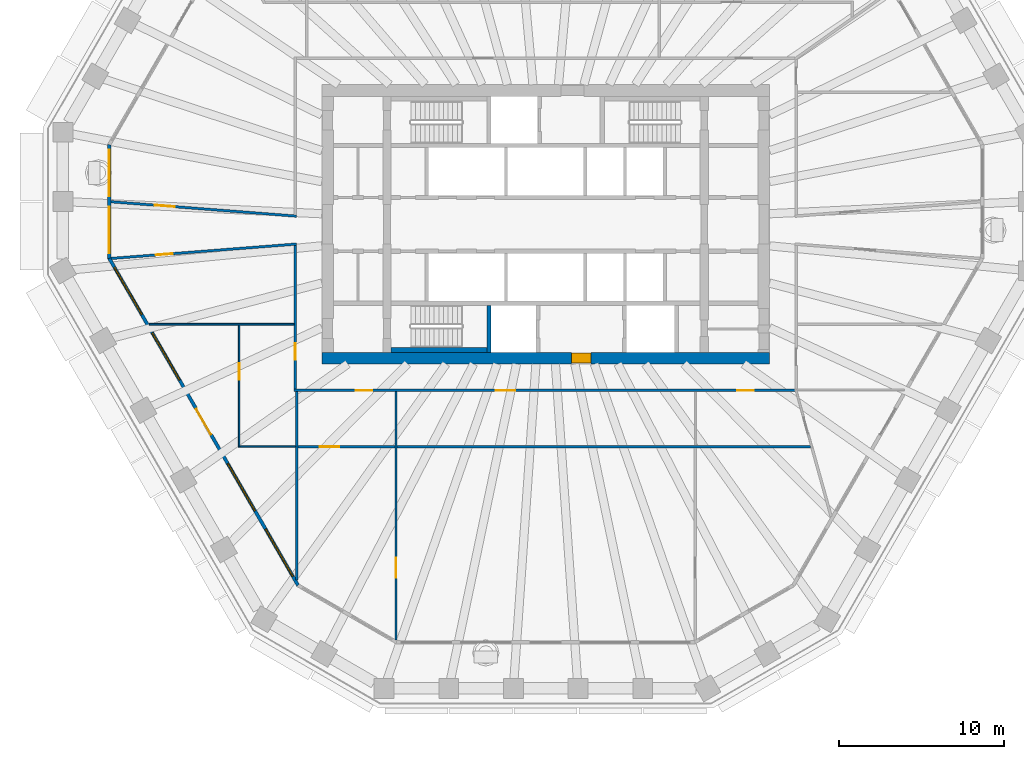
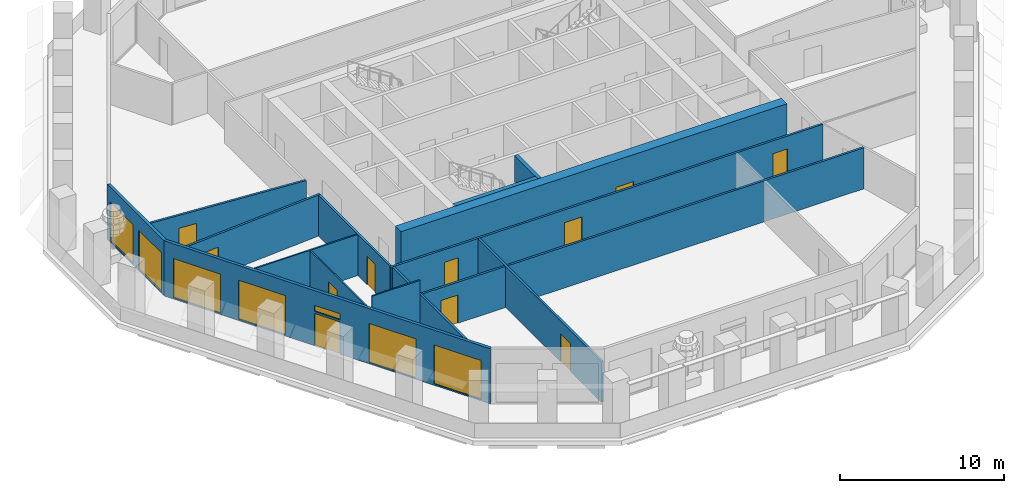
# One storey, part 3 of 12: 15 walls, 11 doors, 7 windows, 18 openings.
"""IFC4 building model written with IfcOpenShell, lengths in metres."""

from ifc_helpers import new_model, si_unit, direction, frame, frame_2d, origin, place, context, subcontext, project, spatial, polyline, rectangle, outline, extrude, material, layer, layer_set, type_object, element, fill, save


model = new_model("IFC4")

# Units and contexts
model_context = context("Model", 3, precision=1e-05, world=origin(), true_north=direction((0.0, 1.0)))
body_context = subcontext(model_context, "Body", "Model", "MODEL_VIEW")
ifc_project = project(units=[si_unit("LENGTHUNIT", "METRE"), si_unit("AREAUNIT", "SQUARE_METRE"), si_unit("VOLUMEUNIT", "CUBIC_METRE"), si_unit("PLANEANGLEUNIT", "RADIAN"), si_unit("MASSUNIT", "GRAM", prefix="KILO")], contexts=[model_context])

# Site, building, storey
site_placement = place(None, origin())
site = spatial("IfcSite", under=ifc_project, at=site_placement, CompositionType="ELEMENT")
building_placement = place(site_placement, origin())
building = spatial("IfcBuilding", under=site, at=building_placement, Name="Frailejon Research Tower", CompositionType="ELEMENT")
storey_placement = place(building_placement, frame((0.0, 0.0, 193.60009765625)))
storey = spatial("IfcBuildingStorey", under=building, at=storey_placement, Name="L42", CompositionType="ELEMENT", Elevation=193.60009765625)

# Wall, opening, door
ifc_material_1 = material(Name="Concrete C60/75", Category="concrete")
ifc_layer_1 = layer(ifc_material_1, 0.699951171875)
ifc_layer_set_1 = layer_set([ifc_layer_1], Name="Core shear wall 700 C60/75")
wall_type_1 = type_object("IfcWallType", Name="Core shear wall 700 C60/75", PredefinedType="SHEAR", material=ifc_layer_set_1)
wall_1_placement = place(storey_placement, frame((-13.550048828125, -8.10009765625, 0.0), z_axis=(0.0, 0.0, 1.0), x_axis=(1.0, 0.0, 0.0)))
wall_1 = element("IfcWall", 1, at=wall_1_placement, inside=storey, type_object=wall_type_1, Name="Core shear wall", PredefinedType="SHEAR", context=body_context, shape_type="SweptSolid", body=[
    extrude(rectangle(XDim=27.10009765625, YDim=0.699951171875, at=frame_2d((13.550048828125, 0.0))), origin(), (0.0, 0.0, 1.0), 4.099853515625),
])
opening_1_placement = place(wall_1_placement, frame((15.10009765625, 0.0, 0.0)))
opening_1 = element("IfcOpeningElement", 2, at=opening_1_placement, cuts=wall_1, Name="Opening D3", PredefinedType="OPENING", context=body_context, shape_type="SweptSolid", body=[
    extrude(rectangle(XDim=1.199951171875, YDim=2.10009765625, at=frame_2d((0.60009765625, 1.050048828125))), frame((0.0, 0.35986328125, 0.0), z_axis=(0.0, -1.0, 0.0), x_axis=(1.0, 0.0, 0.0)), (0.0, 0.0, 1.0), 0.719970703125),
])
ifc_material_2 = material(Name="Steel", Category="steel")
door_type_1 = type_object("IfcDoorType", Name="Firefighting lobby door", OperationType="SINGLE_SWING_LEFT", PredefinedType="DOOR", material=ifc_material_2)
door_1_placement = place(opening_1_placement, origin())
door_1 = element("IfcDoor", 3, at=door_1_placement, inside=storey, type_object=door_type_1, Name="Firefighting lobby door", OperationType="SINGLE_SWING_LEFT", OverallHeight=2.10009765625, OverallWidth=1.199951171875, PredefinedType="DOOR", context=body_context, shape_type="SweptSolid", body=[
    extrude(rectangle(XDim=1.199951171875, YDim=2.10009765625, at=frame_2d((0.60009765625, 1.050048828125))), frame((0.0, 0.300048828125, 0.0), z_axis=(0.0, -1.0, 0.0), x_axis=(1.0, 0.0, 0.0)), (0.0, 0.0, 1.0), 0.60009765625),
])
fill(opening_1, door_1)

ifc_material_3 = material(Name="Gypsum board and masonry partition", Category="masonry")
ifc_layer_2 = layer(ifc_material_3, 0.14990234375)
ifc_layer_set_2 = layer_set([ifc_layer_2], Name="Corridor wall EI 60, gypsum on steel studs 150")
wall_type_2 = type_object("IfcWallType", Name="Corridor wall EI 60, gypsum on steel studs 150", PredefinedType="PARTITIONING", material=ifc_layer_set_2)
wall_2_placement = place(storey_placement, frame((-15.14990234375, -9.97509765625, 0.0), z_axis=(0.0, 0.0, 1.0), x_axis=(0.0, 1.0, 0.0)))
wall_2 = element("IfcWall", 4, at=wall_2_placement, inside=storey, type_object=wall_type_2, Name="T:IW:L42:004", PredefinedType="PARTITIONING", context=body_context, shape_type="SweptSolid", body=[
    extrude(rectangle(XDim=8.70068359375, YDim=0.14990234375, at=frame_2d((4.350341796875, 0.0))), origin(), (0.0, 0.0, 1.0), 3.0498046875),
])
opening_2_placement = place(wall_2_placement, frame((1.770751953125, 0.0, 0.0)))
opening_2 = element("IfcOpeningElement", 5, at=opening_2_placement, cuts=wall_2, Name="Opening D1912", PredefinedType="OPENING", context=body_context, shape_type="SweptSolid", body=[
    extrude(rectangle(XDim=1.0, YDim=2.10009765625, at=frame_2d((0.5, 1.050048828125))), frame((0.0, 0.0849609375, 0.0), z_axis=(0.0, -1.0, 0.0), x_axis=(1.0, 0.0, 0.0)), (0.0, 0.0, 1.0), 0.169921875),
])
ifc_material_4 = material(Name="Timber door leaf", Category="wood")
door_type_2 = type_object("IfcDoorType", Name="Door single leaf, timber, steel frame 1000", OperationType="NOTDEFINED", PredefinedType="DOOR", material=ifc_material_4)
door_2_placement = place(opening_2_placement, origin())
door_2 = element("IfcDoor", 6, at=door_2_placement, inside=storey, type_object=door_type_2, Name="D1912", OperationType="SINGLE_SWING_RIGHT", OverallHeight=2.10009765625, OverallWidth=1.0, PredefinedType="DOOR", context=body_context, shape_type="SweptSolid", body=[
    extrude(rectangle(XDim=1.0, YDim=2.10009765625, at=frame_2d((0.5, 1.050048828125))), frame((0.0, 0.02490234375, 0.0), z_axis=(0.0, -1.0, 0.0), x_axis=(1.0, 0.0, 0.0)), (0.0, 0.0, 1.0), 0.050048828125),
])
fill(opening_2, door_2)

# Wall, openings, doors
wall_3_placement = place(storey_placement, frame((-15.22509765625, -10.050048828125, 0.0), z_axis=(0.0, 0.0, 1.0), x_axis=(1.0, 0.0, 0.0)))
wall_3 = element("IfcWall", 7, at=wall_3_placement, inside=storey, type_object=wall_type_2, Name="T:IW:L42:006", PredefinedType="PARTITIONING", context=body_context, shape_type="SweptSolid", body=[
    extrude(rectangle(XDim=30.3251953125, YDim=0.14990234375, at=frame_2d((15.16259765625, 0.0))), origin(), (0.0, 0.0, 1.0), 3.0498046875),
])
opening_3_placement = place(wall_3_placement, frame((3.741943359375, 0.0, 0.0)))
opening_3 = element("IfcOpeningElement", 8, at=opening_3_placement, cuts=wall_3, Name="Opening D1914", PredefinedType="OPENING", context=body_context, shape_type="SweptSolid", body=[
    extrude(rectangle(XDim=1.0, YDim=2.10009765625, at=frame_2d((0.5, 1.050048828125))), frame((0.0, 0.0849609375, 0.0), z_axis=(0.0, -1.0, 0.0), x_axis=(1.0, 0.0, 0.0)), (0.0, 0.0, 1.0), 0.169921875),
])
opening_4_placement = place(wall_3_placement, frame((12.192626953125, 0.0, 0.0)))
opening_4 = element("IfcOpeningElement", 9, at=opening_4_placement, cuts=wall_3, Name="Opening D1917", PredefinedType="OPENING", context=body_context, shape_type="SweptSolid", body=[
    extrude(rectangle(XDim=1.199951171875, YDim=2.10009765625, at=frame_2d((0.60009765625, 1.050048828125))), frame((0.0, 0.0849609375, 0.0), z_axis=(0.0, -1.0, 0.0), x_axis=(1.0, 0.0, 0.0)), (0.0, 0.0, 1.0), 0.169921875),
])
opening_5_placement = place(wall_3_placement, frame((26.8291015625, 0.0, 0.0)))
opening_5 = element("IfcOpeningElement", 10, at=opening_5_placement, cuts=wall_3, Name="Opening D1919", PredefinedType="OPENING", context=body_context, shape_type="SweptSolid", body=[
    extrude(rectangle(XDim=1.0, YDim=2.10009765625, at=frame_2d((0.5, 1.050048828125))), frame((0.0, 0.0849609375, 0.0), z_axis=(0.0, -1.0, 0.0), x_axis=(1.0, 0.0, 0.0)), (0.0, 0.0, 1.0), 0.169921875),
])
ifc_material_5 = material(Name="Timber door leaf", Category="wood")
door_type_3 = type_object("IfcDoorType", Name="Door laboratory, timber, vision panel 1000", OperationType="NOTDEFINED", PredefinedType="DOOR", material=ifc_material_5)
door_3_placement = place(opening_3_placement, origin())
door_3 = element("IfcDoor", 11, at=door_3_placement, inside=storey, type_object=door_type_3, Name="D1914", OperationType="SINGLE_SWING_RIGHT", OverallHeight=2.10009765625, OverallWidth=1.0, PredefinedType="DOOR", context=body_context, shape_type="SweptSolid", body=[
    extrude(rectangle(XDim=1.0, YDim=2.10009765625, at=frame_2d((0.5, 1.050048828125))), frame((0.0, 0.02490234375, 0.0), z_axis=(0.0, -1.0, 0.0), x_axis=(1.0, 0.0, 0.0)), (0.0, 0.0, 1.0), 0.050048828125),
])
fill(opening_3, door_3)
door_4_placement = place(opening_5_placement, origin())
door_4 = element("IfcDoor", 12, at=door_4_placement, inside=storey, type_object=door_type_2, Name="D1919", OperationType="SINGLE_SWING_LEFT", OverallHeight=2.10009765625, OverallWidth=1.0, PredefinedType="DOOR", context=body_context, shape_type="SweptSolid", body=[
    extrude(rectangle(XDim=1.0, YDim=2.10009765625, at=frame_2d((0.5, 1.050048828125))), frame((0.0, 0.02490234375, 0.0), z_axis=(0.0, -1.0, 0.0), x_axis=(1.0, 0.0, 0.0)), (0.0, 0.0, 1.0), 0.050048828125),
])
fill(opening_5, door_4)
ifc_material_6 = material(Name="Timber door leaf", Category="wood")
door_type_4 = type_object("IfcDoorType", Name="Door single leaf, timber, steel frame 1200", OperationType="NOTDEFINED", PredefinedType="DOOR", material=ifc_material_6)
door_5_placement = place(opening_4_placement, origin())
door_5 = element("IfcDoor", 13, at=door_5_placement, inside=storey, type_object=door_type_4, Name="D1917", OperationType="DOUBLE_DOOR_SINGLE_SWING", OverallHeight=2.10009765625, OverallWidth=1.199951171875, PredefinedType="DOOR", context=body_context, shape_type="SweptSolid", body=[
    extrude(rectangle(XDim=1.199951171875, YDim=2.10009765625, at=frame_2d((0.60009765625, 1.050048828125))), frame((0.0, 0.02490234375, 0.0), z_axis=(0.0, -1.0, 0.0), x_axis=(1.0, 0.0, 0.0)), (0.0, 0.0, 1.0), 0.050048828125),
])
fill(opening_4, door_5)

# Wall, opening, door
wall_4_placement = place(storey_placement, frame((-26.31103515625, 1.3671875, 0.0), z_axis=(0.0, 0.0, 1.0), x_axis=(0.996999820834, -0.077403858151, 0.0)))
wall_4 = element("IfcWall", 14, at=wall_4_placement, inside=storey, type_object=wall_type_2, Name="T:IW:L42:007", PredefinedType="PARTITIONING", context=body_context, shape_type="SweptSolid", body=[
    extrude(rectangle(XDim=11.26953125, YDim=0.14990234375, at=frame_2d((5.634765625, 0.0))), origin(), (0.0, 0.0, 1.0), 3.0498046875),
])
opening_6_placement = place(wall_4_placement, frame((2.673583984375, 0.0, 0.0)))
opening_6 = element("IfcOpeningElement", 15, at=opening_6_placement, cuts=wall_4, Name="Opening D1910", PredefinedType="OPENING", context=body_context, shape_type="SweptSolid", body=[
    extrude(rectangle(XDim=1.199951171875, YDim=2.10009765625, at=frame_2d((0.60009765625, 1.050048828125))), frame((0.0, 0.0849609375, 0.0), z_axis=(0.0, -1.0, 0.0), x_axis=(1.0, 0.0, 0.0)), (0.0, 0.0, 1.0), 0.169921875),
])
ifc_material_7 = material(Name="Timber door leaf", Category="wood")
door_type_5 = type_object("IfcDoorType", Name="Door laboratory, timber, vision panel 1200", OperationType="NOTDEFINED", PredefinedType="DOOR", material=ifc_material_7)
door_6_placement = place(opening_6_placement, origin())
door_6 = element("IfcDoor", 16, at=door_6_placement, inside=storey, type_object=door_type_5, Name="D1910", OperationType="DOUBLE_DOOR_SINGLE_SWING", OverallHeight=2.10009765625, OverallWidth=1.199951171875, PredefinedType="DOOR", context=body_context, shape_type="SweptSolid", body=[
    extrude(rectangle(XDim=1.199951171875, YDim=2.10009765625, at=frame_2d((0.60009765625, 1.050048828125))), frame((0.0, 0.02490234375, 0.0), z_axis=(0.0, -1.0, 0.0), x_axis=(1.0, 0.0, 0.0)), (0.0, 0.0, 1.0), 0.050048828125),
])
fill(opening_6, door_6)

wall_5_placement = place(storey_placement, frame((-26.2900390625, -2.064208984375, 0.0), z_axis=(0.0, 0.0, 1.0), x_axis=(0.997000362213, 0.077396884614, 0.0)))
wall_5 = element("IfcWall", 17, at=wall_5_placement, inside=storey, type_object=wall_type_2, Name="T:IW:L42:008", PredefinedType="PARTITIONING", context=body_context, shape_type="SweptSolid", body=[
    extrude(rectangle(XDim=11.24853515625, YDim=0.14990234375, at=frame_2d((5.624267578125, 0.0))), origin(), (0.0, 0.0, 1.0), 3.0498046875),
])
opening_7_placement = place(wall_5_placement, frame((2.718505859375, 0.0, 0.0)))
opening_7 = element("IfcOpeningElement", 18, at=opening_7_placement, cuts=wall_5, Name="Opening D1911", PredefinedType="OPENING", context=body_context, shape_type="SweptSolid", body=[
    extrude(rectangle(XDim=1.0, YDim=2.10009765625, at=frame_2d((0.5, 1.050048828125))), frame((0.0, 0.0849609375, 0.0), z_axis=(0.0, -1.0, 0.0), x_axis=(1.0, 0.0, 0.0)), (0.0, 0.0, 1.0), 0.169921875),
])
door_7_placement = place(opening_7_placement, origin())
door_7 = element("IfcDoor", 19, at=door_7_placement, inside=storey, type_object=door_type_2, Name="D1911", OperationType="SINGLE_SWING_LEFT", OverallHeight=2.10009765625, OverallWidth=1.0, PredefinedType="DOOR", context=body_context, shape_type="SweptSolid", body=[
    extrude(rectangle(XDim=1.0, YDim=2.10009765625, at=frame_2d((0.5, 1.050048828125))), frame((0.0, 0.02490234375, 0.0), z_axis=(0.0, -1.0, 0.0), x_axis=(1.0, 0.0, 0.0)), (0.0, 0.0, 1.0), 0.050048828125),
])
fill(opening_7, door_7)

# Wall
ifc_material_8 = material(Name="Gypsum board and masonry partition", Category="masonry")
ifc_layer_3 = layer(ifc_material_8, 0.14990234375)
ifc_layer_set_3 = layer_set([ifc_layer_3], Name="Laboratory partition, blockwork 150")
wall_type_3 = type_object("IfcWallType", Name="Laboratory partition, blockwork 150", PredefinedType="PARTITIONING", material=ifc_layer_set_3)
wall_6_placement = place(storey_placement, frame((-15.05810546875, -21.518798828125, 0.0), z_axis=(0.0, 0.0, 1.0), x_axis=(0.0, 1.0, 0.0)))
element("IfcWall", 20, at=wall_6_placement, inside=storey, type_object=wall_type_3, Name="T:IW:L42:018", PredefinedType="PARTITIONING", context=body_context, shape_type="SweptSolid", body=[
    extrude(rectangle(XDim=11.393798828125, YDim=0.14990234375, at=frame_2d((5.69677734375, 0.0))), origin(), (0.0, 0.0, 1.0), 3.0498046875),
])

# Wall, opening, door
wall_7_placement = place(storey_placement, frame((-14.983154296875, -13.449951171875, 0.0), z_axis=(0.0, 0.0, 1.0), x_axis=(1.0, 0.0, 0.0)))
wall_7 = element("IfcWall", 21, at=wall_7_placement, inside=storey, type_object=wall_type_3, Name="T:IW:L42:019", PredefinedType="PARTITIONING", context=body_context, shape_type="SweptSolid", body=[
    extrude(rectangle(XDim=31.004150390625, YDim=0.14990234375, at=frame_2d((15.501953125, 0.0))), origin(), (0.0, 0.0, 1.0), 3.0498046875),
])
opening_8_placement = place(wall_7_placement, frame((1.300048828125, 0.0, 0.0)))
opening_8 = element("IfcOpeningElement", 22, at=opening_8_placement, cuts=wall_7, Name="Opening D1915", PredefinedType="OPENING", context=body_context, shape_type="SweptSolid", body=[
    extrude(rectangle(XDim=1.199951171875, YDim=2.10009765625, at=frame_2d((0.60009765625, 1.050048828125))), frame((0.0, 0.0849609375, 0.0), z_axis=(0.0, -1.0, 0.0), x_axis=(1.0, 0.0, 0.0)), (0.0, 0.0, 1.0), 0.169921875),
])
door_8_placement = place(opening_8_placement, origin())
door_8 = element("IfcDoor", 23, at=door_8_placement, inside=storey, type_object=door_type_5, Name="D1915", OperationType="DOUBLE_DOOR_SINGLE_SWING", OverallHeight=2.10009765625, OverallWidth=1.199951171875, PredefinedType="DOOR", context=body_context, shape_type="SweptSolid", body=[
    extrude(rectangle(XDim=1.199951171875, YDim=2.10009765625, at=frame_2d((0.60009765625, 1.050048828125))), frame((0.0, 0.02490234375, 0.0), z_axis=(0.0, -1.0, 0.0), x_axis=(1.0, 0.0, 0.0)), (0.0, 0.0, 1.0), 0.050048828125),
])
fill(opening_8, door_8)

wall_8_placement = place(storey_placement, frame((-9.05810546875, -25.15185546875, 0.0), z_axis=(0.0, 0.0, 1.0), x_axis=(0.0, 1.0, 0.0)))
wall_8 = element("IfcWall", 24, at=wall_8_placement, inside=storey, type_object=wall_type_3, Name="T:IW:L42:020", PredefinedType="PARTITIONING", context=body_context, shape_type="SweptSolid", body=[
    extrude(rectangle(XDim=15.02685546875, YDim=0.14990234375, at=frame_2d((7.513427734375, 0.0))), origin(), (0.0, 0.0, 1.0), 3.0498046875),
])
opening_9_placement = place(wall_8_placement, frame((3.780517578125, 0.0, 0.0)))
opening_9 = element("IfcOpeningElement", 25, at=opening_9_placement, cuts=wall_8, Name="Opening D1916", PredefinedType="OPENING", context=body_context, shape_type="SweptSolid", body=[
    extrude(rectangle(XDim=1.199951171875, YDim=2.10009765625, at=frame_2d((0.60009765625, 1.050048828125))), frame((0.0, 0.0849609375, 0.0), z_axis=(0.0, -1.0, 0.0), x_axis=(1.0, 0.0, 0.0)), (0.0, 0.0, 1.0), 0.169921875),
])
door_9_placement = place(opening_9_placement, origin())
door_9 = element("IfcDoor", 26, at=door_9_placement, inside=storey, type_object=door_type_5, Name="D1916", OperationType="DOUBLE_DOOR_SINGLE_SWING", OverallHeight=2.10009765625, OverallWidth=1.199951171875, PredefinedType="DOOR", context=body_context, shape_type="SweptSolid", body=[
    extrude(rectangle(XDim=1.199951171875, YDim=2.10009765625, at=frame_2d((0.60009765625, 1.050048828125))), frame((0.0, 0.02490234375, 0.0), z_axis=(0.0, -1.0, 0.0), x_axis=(1.0, 0.0, 0.0)), (0.0, 0.0, 1.0), 0.050048828125),
])
fill(opening_9, door_9)

# Walls
ifc_material_9 = material(Name="Gypsum board and masonry partition", Category="masonry")
ifc_layer_4 = layer(ifc_material_9, 0.10009765625)
ifc_layer_set_4 = layer_set([ifc_layer_4], Name="Partition, gypsum on steel studs 100")
wall_type_4 = type_object("IfcWallType", Name="Partition, gypsum on steel studs 100", PredefinedType="PARTITIONING", material=ifc_layer_set_4)
wall_9_placement = place(storey_placement, frame((-23.989501953125, -6.048828125, 0.0), z_axis=(0.0, 0.0, 1.0), x_axis=(1.0, 0.0, 0.0)))
element("IfcWall", 27, at=wall_9_placement, inside=storey, type_object=wall_type_4, Name="T:IW:L42:024", PredefinedType="PARTITIONING", context=body_context, shape_type="SweptSolid", body=[
    extrude(rectangle(XDim=8.764404296875, YDim=0.10009765625, at=frame_2d((4.38232421875, 0.0))), origin(), (0.0, 0.0, 1.0), 3.0498046875),
])
wall_10_placement = place(storey_placement, frame((-18.5, -13.449951171875, 0.0), z_axis=(0.0, 0.0, 1.0), x_axis=(1.0, 0.0, 0.0)))
element("IfcWall", 28, at=wall_10_placement, inside=storey, type_object=wall_type_4, Name="T:IW:L42:025", PredefinedType="PARTITIONING", context=body_context, shape_type="SweptSolid", body=[
    extrude(rectangle(XDim=3.366943359375, YDim=0.10009765625, at=frame_2d((1.68359375, 0.0))), origin(), (0.0, 0.0, 1.0), 4.099853515625),
])

# Wall, opening, door
wall_11_placement = place(storey_placement, frame((-18.550048828125, -13.5, 0.0), z_axis=(0.0, 0.0, 1.0), x_axis=(0.0, 1.0, 0.0)))
wall_11 = element("IfcWall", 29, at=wall_11_placement, inside=storey, type_object=wall_type_4, Name="T:IW:L42:026", PredefinedType="PARTITIONING", context=body_context, shape_type="SweptSolid", body=[
    extrude(rectangle(XDim=7.401123046875, YDim=0.10009765625, at=frame_2d((3.70068359375, 0.0))), origin(), (0.0, 0.0, 1.0), 3.0498046875),
])
opening_10_placement = place(wall_11_placement, frame((4.105712890625, 0.0, 0.0)))
opening_10 = element("IfcOpeningElement", 30, at=opening_10_placement, cuts=wall_11, Name="Opening D1913", PredefinedType="OPENING", context=body_context, shape_type="SweptSolid", body=[
    extrude(rectangle(XDim=1.0, YDim=2.10009765625, at=frame_2d((0.5, 1.050048828125))), frame((0.0, 0.06005859375, 0.0), z_axis=(0.0, -1.0, 0.0), x_axis=(1.0, 0.0, 0.0)), (0.0, 0.0, 1.0), 0.1201171875),
])
door_10_placement = place(opening_10_placement, origin())
door_10 = element("IfcDoor", 31, at=door_10_placement, inside=storey, type_object=door_type_2, Name="D1913", OperationType="SINGLE_SWING_LEFT", OverallHeight=2.10009765625, OverallWidth=1.0, PredefinedType="DOOR", context=body_context, shape_type="SweptSolid", body=[
    extrude(rectangle(XDim=1.0, YDim=2.10009765625, at=frame_2d((0.5, 1.050048828125))), frame((0.0, 0.02490234375, 0.0), z_axis=(0.0, -1.0, 0.0), x_axis=(1.0, 0.0, 0.0)), (0.0, 0.0, 1.0), 0.050048828125),
])
fill(opening_10, door_10)

# Walls
ifc_material_10 = material(Name="Concrete C60/75", Category="concrete")
ifc_layer_5 = layer(ifc_material_10, 0.25)
ifc_layer_set_5 = layer_set([ifc_layer_5], Name="Shaft wall 250 C60/75")
wall_type_5 = type_object("IfcWallType", Name="Shaft wall 250 C60/75", PredefinedType="SOLIDWALL", material=ifc_layer_set_5)
wall_12_placement = place(storey_placement, frame((-3.425048828125, -7.75, 0.0), z_axis=(0.0, 0.0, 1.0), x_axis=(0.0, 1.0, 0.0)))
element("IfcWall", 32, at=wall_12_placement, inside=storey, type_object=wall_type_5, Name="Shaft wall", PredefinedType="SOLIDWALL", context=body_context, shape_type="SweptSolid", body=[
    extrude(rectangle(XDim=2.85009765625, YDim=0.25, at=frame_2d((1.425048828125, 0.0))), origin(), (0.0, 0.0, 1.0), 4.099853515625),
])
ifc_material_11 = material(Name="Concrete C60/75", Category="concrete")
ifc_layer_6 = layer(ifc_material_11, 0.300048828125)
ifc_layer_set_6 = layer_set([ifc_layer_6], Name="Shaft wall 300 C60/75")
wall_type_6 = type_object("IfcWallType", Name="Shaft wall 300 C60/75", PredefinedType="SOLIDWALL", material=ifc_layer_set_6)
wall_13_placement = place(storey_placement, frame((-9.35009765625, -7.60009765625, 0.0), z_axis=(0.0, 0.0, 1.0), x_axis=(1.0, 0.0, 0.0)))
element("IfcWall", 33, at=wall_13_placement, inside=storey, type_object=wall_type_6, Name="Shaft wall", PredefinedType="SOLIDWALL", context=body_context, shape_type="SweptSolid", body=[
    extrude(rectangle(XDim=5.800048828125, YDim=0.300048828125, at=frame_2d((2.89990234375, 0.0))), origin(), (0.0, 0.0, 1.0), 4.099853515625),
])

# Wall, openings, windows
ifc_material_12 = material(Name="Concrete C40/50 precast window wall panel", Category="concrete")
ifc_layer_7 = layer(ifc_material_12, 0.199951171875)
ifc_layer_set_7 = layer_set([ifc_layer_7], Name="Window wall 200")
wall_type_7 = type_object("IfcWallType", Name="Window wall 200", PredefinedType="SOLIDWALL", material=ifc_layer_set_7)
wall_14_placement = place(storey_placement, frame((-26.4111328125, 4.820068359375, 0.0), z_axis=(0.0, 0.0, 1.0), x_axis=(0.0, -1.0, 0.0)))
wall_14 = element("IfcWall", 34, at=wall_14_placement, inside=storey, type_object=wall_type_7, Name="Exterior wall L42", PredefinedType="SOLIDWALL", context=body_context, shape_type="SweptSolid", body=[
    extrude(outline(polyline([(-0.02685546875, -0.10009765625), (1.1279296875, -0.10009765625), (2.28271484375, -0.10009765625), (3.4375, -0.10009765625), (4.592041015625, -0.10009765625), (5.746826171875, -0.10009765625), (6.901611328125, -0.10009765625), (6.847900390625, 0.10009765625), (5.7109375, 0.10009765625), (4.57421875, 0.10009765625), (3.4375, 0.10009765625), (2.300537109375, 0.10009765625), (1.16357421875, 0.10009765625), (0.02685546875, 0.10009765625), (-0.02685546875, -0.10009765625)])), origin(), (0.0, 0.0, 1.0), 4.099853515625),
])
opening_11_placement = place(wall_14_placement, frame((0.318603515625, 0.0, 0.10009765625)))
opening_11 = element("IfcOpeningElement", 35, at=opening_11_placement, cuts=wall_14, Name="Opening W3", PredefinedType="OPENING", context=body_context, shape_type="SweptSolid", body=[
    extrude(rectangle(XDim=2.800048828125, YDim=2.89990234375, at=frame_2d((1.39990234375, 1.449951171875))), frame((0.0, 0.10986328125, 0.0), z_axis=(0.0, -1.0, 0.0), x_axis=(1.0, 0.0, 0.0)), (0.0, 0.0, 1.0), 0.219970703125),
])
opening_12_placement = place(wall_14_placement, frame((3.756103515625, 0.0, 0.10009765625)))
opening_12 = element("IfcOpeningElement", 36, at=opening_12_placement, cuts=wall_14, Name="Opening W3", PredefinedType="OPENING", context=body_context, shape_type="SweptSolid", body=[
    extrude(rectangle(XDim=2.800048828125, YDim=2.89990234375, at=frame_2d((1.39990234375, 1.449951171875))), frame((0.0, 0.10986328125, 0.0), z_axis=(0.0, -1.0, 0.0), x_axis=(1.0, 0.0, 0.0)), (0.0, 0.0, 1.0), 0.219970703125),
])
ifc_material_13 = material(Name="Aluminium framed double glazing", Category="aluminium")
window_type_1 = type_object("IfcWindowType", Name="Window 2800x2900", PartitioningType="SINGLE_PANEL", PredefinedType="WINDOW", material=ifc_material_13)
window_1_placement = place(opening_11_placement, origin())
window_1 = element("IfcWindow", 37, at=window_1_placement, inside=storey, type_object=window_type_1, Name="Window L42", OverallHeight=2.89990234375, OverallWidth=2.800048828125, PartitioningType="SINGLE_PANEL", PredefinedType="WINDOW", context=body_context, shape_type="SweptSolid", body=[
    extrude(rectangle(XDim=2.800048828125, YDim=2.89990234375, at=frame_2d((1.39990234375, 1.449951171875))), frame((0.0, 0.030029296875, 0.0), z_axis=(0.0, -1.0, 0.0), x_axis=(1.0, 0.0, 0.0)), (0.0, 0.0, 1.0), 0.06005859375),
])
fill(opening_11, window_1)
window_2_placement = place(opening_12_placement, origin())
window_2 = element("IfcWindow", 38, at=window_2_placement, inside=storey, type_object=window_type_1, Name="Window L42", OverallHeight=2.89990234375, OverallWidth=2.800048828125, PartitioningType="SINGLE_PANEL", PredefinedType="WINDOW", context=body_context, shape_type="SweptSolid", body=[
    extrude(rectangle(XDim=2.800048828125, YDim=2.89990234375, at=frame_2d((1.39990234375, 1.449951171875))), frame((0.0, 0.030029296875, 0.0), z_axis=(0.0, -1.0, 0.0), x_axis=(1.0, 0.0, 0.0)), (0.0, 0.0, 1.0), 0.06005859375),
])
fill(opening_12, window_2)

# Wall, openings, door, windows
wall_15_placement = place(storey_placement, frame((-26.4111328125, -2.0546875, 0.0), z_axis=(0.0, 0.0, 1.0), x_axis=(0.50000204422, -0.86602422355, 0.0)))
wall_15 = element("IfcWall", 39, at=wall_15_placement, inside=storey, type_object=wall_type_7, Name="Exterior wall L42", PredefinedType="SOLIDWALL", context=body_context, shape_type="SweptSolid", body=[
    extrude(outline(polyline([(-0.02685546875, -0.10009765625), (1.014404296875, -0.10009765625), (2.055419921875, -0.10009765625), (3.0966796875, -0.10009765625), (4.137939453125, -0.10009765625), (5.17919921875, -0.10009765625), (6.22021484375, -0.10009765625), (7.261474609375, -0.10009765625), (8.302734375, -0.10009765625), (9.343994140625, -0.10009765625), (10.385009765625, -0.10009765625), (11.42626953125, -0.10009765625), (12.467529296875, -0.10009765625), (13.508544921875, -0.10009765625), (14.5498046875, -0.10009765625), (15.591064453125, -0.10009765625), (16.63232421875, -0.10009765625), (17.67333984375, -0.10009765625), (18.714599609375, -0.10009765625), (19.755859375, -0.10009765625), (20.797119140625, -0.10009765625), (21.838134765625, -0.10009765625), (22.87939453125, -0.10009765625), (22.82568359375, 0.10009765625), (21.789306640625, 0.10009765625), (20.753173828125, 0.10009765625), (19.716796875, 0.10009765625), (18.680419921875, 0.10009765625), (17.64404296875, 0.10009765625), (16.60791015625, 0.10009765625), (15.571533203125, 0.10009765625), (14.53515625, 0.10009765625), (13.498779296875, 0.10009765625), (12.462646484375, 0.10009765625), (11.42626953125, 0.10009765625), (10.389892578125, 0.10009765625), (9.353759765625, 0.10009765625), (8.3173828125, 0.10009765625), (7.281005859375, 0.10009765625), (6.24462890625, 0.10009765625), (5.20849609375, 0.10009765625), (4.172119140625, 0.10009765625), (3.1357421875, 0.10009765625), (2.099365234375, 0.10009765625), (1.063232421875, 0.10009765625), (0.02685546875, 0.10009765625), (-0.02685546875, -0.10009765625)])), origin(), (0.0, 0.0, 1.0), 4.099853515625),
])
opening_13_placement = place(wall_15_placement, frame((0.63525390625, 0.0, 0.10009765625)))
opening_13 = element("IfcOpeningElement", 40, at=opening_13_placement, cuts=wall_15, Name="Opening W5", PredefinedType="OPENING", context=body_context, shape_type="SweptSolid", body=[
    extrude(rectangle(XDim=3.300048828125, YDim=2.89990234375, at=frame_2d((1.64990234375, 1.449951171875))), frame((0.0, 0.10986328125, 0.0), z_axis=(0.0, -1.0, 0.0), x_axis=(1.0, 0.0, 0.0)), (0.0, 0.0, 1.0), 0.219970703125),
])
opening_14_placement = place(wall_15_placement, frame((5.205810546875, 0.0, 0.10009765625)))
opening_14 = element("IfcOpeningElement", 41, at=opening_14_placement, cuts=wall_15, Name="Opening W5", PredefinedType="OPENING", context=body_context, shape_type="SweptSolid", body=[
    extrude(rectangle(XDim=3.300048828125, YDim=2.89990234375, at=frame_2d((1.64990234375, 1.449951171875))), frame((0.0, 0.10986328125, 0.0), z_axis=(0.0, -1.0, 0.0), x_axis=(1.0, 0.0, 0.0)), (0.0, 0.0, 1.0), 0.219970703125),
])
opening_15_placement = place(wall_15_placement, frame((10.5263671875, 0.0, 0.0)))
opening_15 = element("IfcOpeningElement", 42, at=opening_15_placement, cuts=wall_15, Name="Opening LG42-4", PredefinedType="OPENING", context=body_context, shape_type="SweptSolid", body=[
    extrude(rectangle(XDim=1.800048828125, YDim=2.39990234375, at=frame_2d((0.89990234375, 1.199951171875))), frame((0.0, 0.10986328125, 0.0), z_axis=(0.0, -1.0, 0.0), x_axis=(1.0, 0.0, 0.0)), (0.0, 0.0, 1.0), 0.219970703125),
])
opening_16_placement = place(wall_15_placement, frame((10.5263671875, 0.0, 2.550048828125)))
opening_16 = element("IfcOpeningElement", 43, at=opening_16_placement, cuts=wall_15, Name="Opening W1", PredefinedType="OPENING", context=body_context, shape_type="SweptSolid", body=[
    extrude(rectangle(XDim=1.800048828125, YDim=0.449951171875, at=frame_2d((0.89990234375, 0.22509765625))), frame((0.0, 0.10986328125, 0.0), z_axis=(0.0, -1.0, 0.0), x_axis=(1.0, 0.0, 0.0)), (0.0, 0.0, 1.0), 0.219970703125),
])
opening_17_placement = place(wall_15_placement, frame((14.3466796875, 0.0, 0.10009765625)))
opening_17 = element("IfcOpeningElement", 44, at=opening_17_placement, cuts=wall_15, Name="Opening W5", PredefinedType="OPENING", context=body_context, shape_type="SweptSolid", body=[
    extrude(rectangle(XDim=3.300048828125, YDim=2.89990234375, at=frame_2d((1.64990234375, 1.449951171875))), frame((0.0, 0.10986328125, 0.0), z_axis=(0.0, -1.0, 0.0), x_axis=(1.0, 0.0, 0.0)), (0.0, 0.0, 1.0), 0.219970703125),
])
opening_18_placement = place(wall_15_placement, frame((18.917236328125, 0.0, 0.10009765625)))
opening_18 = element("IfcOpeningElement", 45, at=opening_18_placement, cuts=wall_15, Name="Opening W5", PredefinedType="OPENING", context=body_context, shape_type="SweptSolid", body=[
    extrude(rectangle(XDim=3.300048828125, YDim=2.89990234375, at=frame_2d((1.64990234375, 1.449951171875))), frame((0.0, 0.10986328125, 0.0), z_axis=(0.0, -1.0, 0.0), x_axis=(1.0, 0.0, 0.0)), (0.0, 0.0, 1.0), 0.219970703125),
])
ifc_material_14 = material(Name="Aluminium framed glazed door leaf", Category="aluminium")
door_type_6 = type_object("IfcDoorType", Name="Loggia door 1800x2400", OperationType="DOUBLE_DOOR_SINGLE_SWING", PredefinedType="DOOR", material=ifc_material_14)
door_11_placement = place(opening_15_placement, origin())
door_11 = element("IfcDoor", 46, at=door_11_placement, inside=storey, type_object=door_type_6, Name="Door LG42-4", OperationType="DOUBLE_DOOR_SINGLE_SWING", OverallHeight=2.39990234375, OverallWidth=1.800048828125, PredefinedType="DOOR", context=body_context, shape_type="SweptSolid", body=[
    extrude(rectangle(XDim=1.800048828125, YDim=2.39990234375, at=frame_2d((0.89990234375, 1.199951171875))), frame((0.0, 0.02490234375, 0.0), z_axis=(0.0, -1.0, 0.0), x_axis=(1.0, 0.0, 0.0)), (0.0, 0.0, 1.0), 0.050048828125),
])
fill(opening_15, door_11)
ifc_material_15 = material(Name="Aluminium framed double glazing", Category="aluminium")
window_type_2 = type_object("IfcWindowType", Name="Window 1800x450", PartitioningType="SINGLE_PANEL", PredefinedType="WINDOW", material=ifc_material_15)
window_3_placement = place(opening_16_placement, origin())
window_3 = element("IfcWindow", 47, at=window_3_placement, inside=storey, type_object=window_type_2, Name="Window L42", OverallHeight=0.449951171875, OverallWidth=1.800048828125, PartitioningType="SINGLE_PANEL", PredefinedType="WINDOW", context=body_context, shape_type="SweptSolid", body=[
    extrude(rectangle(XDim=1.800048828125, YDim=0.449951171875, at=frame_2d((0.89990234375, 0.22509765625))), frame((0.0, 0.030029296875, 0.0), z_axis=(0.0, -1.0, 0.0), x_axis=(1.0, 0.0, 0.0)), (0.0, 0.0, 1.0), 0.06005859375),
])
fill(opening_16, window_3)
ifc_material_16 = material(Name="Aluminium framed double glazing", Category="aluminium")
window_type_3 = type_object("IfcWindowType", Name="Window 3300x2900", PartitioningType="SINGLE_PANEL", PredefinedType="WINDOW", material=ifc_material_16)
window_4_placement = place(opening_13_placement, origin())
window_4 = element("IfcWindow", 48, at=window_4_placement, inside=storey, type_object=window_type_3, Name="Window L42", OverallHeight=2.89990234375, OverallWidth=3.300048828125, PartitioningType="SINGLE_PANEL", PredefinedType="WINDOW", context=body_context, shape_type="SweptSolid", body=[
    extrude(rectangle(XDim=3.300048828125, YDim=2.89990234375, at=frame_2d((1.64990234375, 1.449951171875))), frame((0.0, 0.030029296875, 0.0), z_axis=(0.0, -1.0, 0.0), x_axis=(1.0, 0.0, 0.0)), (0.0, 0.0, 1.0), 0.06005859375),
])
fill(opening_13, window_4)
window_5_placement = place(opening_14_placement, origin())
window_5 = element("IfcWindow", 49, at=window_5_placement, inside=storey, type_object=window_type_3, Name="Window L42", OverallHeight=2.89990234375, OverallWidth=3.300048828125, PartitioningType="SINGLE_PANEL", PredefinedType="WINDOW", context=body_context, shape_type="SweptSolid", body=[
    extrude(rectangle(XDim=3.300048828125, YDim=2.89990234375, at=frame_2d((1.64990234375, 1.449951171875))), frame((0.0, 0.030029296875, 0.0), z_axis=(0.0, -1.0, 0.0), x_axis=(1.0, 0.0, 0.0)), (0.0, 0.0, 1.0), 0.06005859375),
])
fill(opening_14, window_5)
window_6_placement = place(opening_17_placement, origin())
window_6 = element("IfcWindow", 50, at=window_6_placement, inside=storey, type_object=window_type_3, Name="Window L42", OverallHeight=2.89990234375, OverallWidth=3.300048828125, PartitioningType="SINGLE_PANEL", PredefinedType="WINDOW", context=body_context, shape_type="SweptSolid", body=[
    extrude(rectangle(XDim=3.300048828125, YDim=2.89990234375, at=frame_2d((1.64990234375, 1.449951171875))), frame((0.0, 0.030029296875, 0.0), z_axis=(0.0, -1.0, 0.0), x_axis=(1.0, 0.0, 0.0)), (0.0, 0.0, 1.0), 0.06005859375),
])
fill(opening_17, window_6)
window_7_placement = place(opening_18_placement, origin())
window_7 = element("IfcWindow", 51, at=window_7_placement, inside=storey, type_object=window_type_3, Name="Window L42", OverallHeight=2.89990234375, OverallWidth=3.300048828125, PartitioningType="SINGLE_PANEL", PredefinedType="WINDOW", context=body_context, shape_type="SweptSolid", body=[
    extrude(rectangle(XDim=3.300048828125, YDim=2.89990234375, at=frame_2d((1.64990234375, 1.449951171875))), frame((0.0, 0.030029296875, 0.0), z_axis=(0.0, -1.0, 0.0), x_axis=(1.0, 0.0, 0.0)), (0.0, 0.0, 1.0), 0.06005859375),
])
fill(opening_18, window_7)

save(model, "model.ifc")
